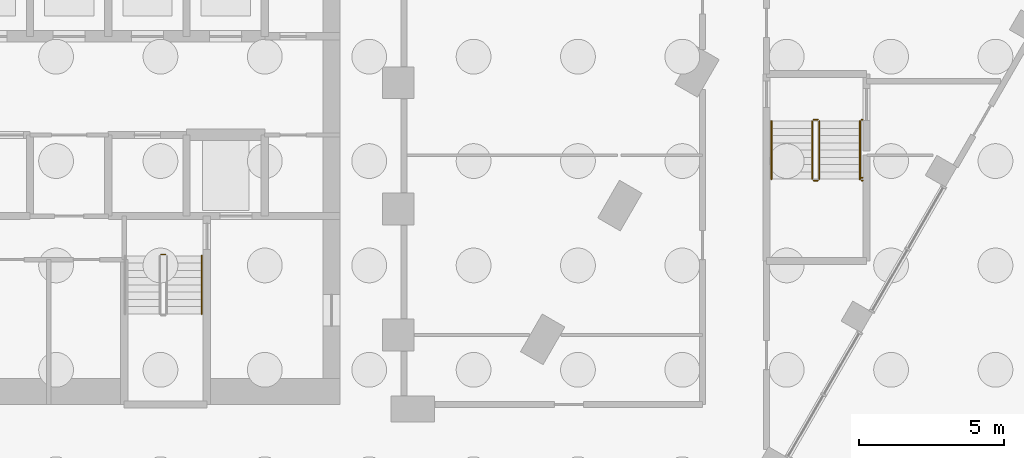
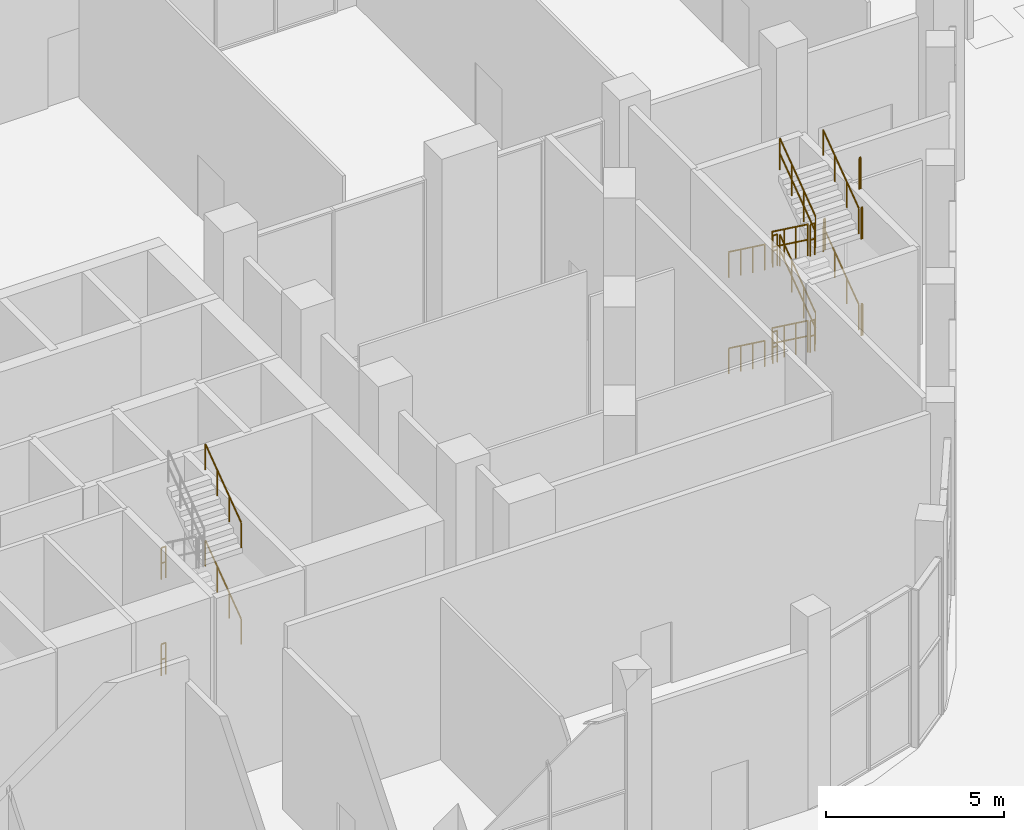
# One storey, part 39 of 44: 20 railings.
"""IFC4 building model written with IfcOpenShell, lengths in metres."""

import ifcopenshell
import ifcopenshell.guid

model = None  # the IFC model being written
_history = None  # IfcOwnerHistory: only IFC2X3 demands one
_inside = {}  # id of a spatial element -> (the spatial element, [elements in it])
_under = {}  # id of a project, library or spatial element -> (it, [spatial elements below it])
_declared = {}  # id of a project -> (the project, [libraries it declares])
_typed = {}  # id of a type object -> (the type object, [elements of that type])
_made_of = {}  # id of a material, layer set ... -> (it, [elements and type objects made of it])


def new_model(schema):
    """Start an empty IFC model of exactly this schema.

    Asked for "IFC4X3", IfcOpenShell would pick the latest addendum, in which some entities
    have other attributes; the version numbers below select the first issue.
    IFC2X3 requires an IfcOwnerHistory on every rooted entity: one is made here for all.
    """
    global model, _history
    if schema == "IFC4X3":
        model = ifcopenshell.file(schema_version=(4, 3, 0, 0))
    else:
        model = ifcopenshell.file(schema=schema)
    _inside.clear()
    _under.clear()
    _declared.clear()
    _typed.clear()
    _made_of.clear()
    _history = None
    if model.schema == "IFC2X3":
        org = make("IfcOrganization", Name="unknown")
        user = make(
            "IfcPersonAndOrganization",
            ThePerson=make("IfcPerson", FamilyName="unknown"),
            TheOrganization=org,
        )
        app = make(
            "IfcApplication",
            ApplicationDeveloper=org,
            Version="unknown",
            ApplicationFullName="unknown",
            ApplicationIdentifier="unknown",
        )
        _history = make(
            "IfcOwnerHistory",
            OwningUser=user,
            OwningApplication=app,
            ChangeAction="ADDED",
            CreationDate=0,
        )
    return model


def make(cls, **values):
    """One entity of the class cls with the attributes given. An attribute that is None is left unset."""
    return model.create_entity(
        cls, **{name: value for name, value in values.items() if value is not None}
    )


def rooted(cls, **values):
    """An entity with a GlobalId (a new one), such as an element, a storey or a relation."""
    return make(cls, GlobalId=ifcopenshell.guid.new(), OwnerHistory=_history, **values)


def si_unit(unit_type, name, prefix=None):
    """IfcSIUnit, for example si_unit("LENGTHUNIT", "METRE", prefix="MILLI")."""
    return make("IfcSIUnit", UnitType=unit_type, Prefix=prefix, Name=name)


def assignment(units):
    """IfcUnitAssignment: the units of a project."""
    return None if units is None else make("IfcUnitAssignment", Units=units)


def point(xyz):
    """IfcCartesianPoint."""
    return None if xyz is None else make("IfcCartesianPoint", Coordinates=xyz)


def direction(xyz):
    """IfcDirection."""
    return None if xyz is None else make("IfcDirection", DirectionRatios=xyz)


def frame(location, z_axis=None, x_axis=None):
    """IfcAxis2Placement3D, a coordinate frame: its origin and axes. An axis left out is left unset."""
    return make(
        "IfcAxis2Placement3D",
        Location=point(location),
        Axis=direction(z_axis),
        RefDirection=direction(x_axis),
    )


def frame_2d(location, x_axis=None):
    """IfcAxis2Placement2D, a coordinate frame in the plane: its origin and x axis."""
    return make(
        "IfcAxis2Placement2D", Location=point(location), RefDirection=direction(x_axis)
    )


def origin():
    """The frame at (0, 0, 0) with its axes left unset."""
    return frame((0.0, 0.0, 0.0))


def origin_2d():
    """The frame at (0, 0) in the plane with its x axis left unset."""
    return frame_2d((0.0, 0.0))


def place(relative_to, where):
    """IfcLocalPlacement: puts the frame where relative to a parent placement (None: the world)."""
    return make(
        "IfcLocalPlacement", PlacementRelTo=relative_to, RelativePlacement=where
    )


def context(
    kind, dimensions, precision=None, world=None, true_north=None, identifier=None
):
    """IfcGeometricRepresentationContext, for example the 3D "Model" context."""
    return make(
        "IfcGeometricRepresentationContext",
        ContextIdentifier=identifier,
        ContextType=kind,
        CoordinateSpaceDimension=dimensions,
        Precision=precision,
        WorldCoordinateSystem=world,
        TrueNorth=true_north,
    )


def subcontext(parent, identifier, kind, view, scale=None):
    """IfcGeometricRepresentationSubContext, for example "Body" below "Model"."""
    return make(
        "IfcGeometricRepresentationSubContext",
        ContextIdentifier=identifier,
        ContextType=kind,
        ParentContext=parent,
        TargetScale=scale,
        TargetView=view,
    )


def project(units=None, contexts=None):
    """IfcProject with its units and contexts."""
    return rooted(
        "IfcProject",
        Name="project",
        RepresentationContexts=contexts,
        UnitsInContext=assignment(units),
    )


def spatial(cls, under=None, at=None, **own):
    """A site, building, storey or space (cls), placed at a placement, below another one or the project."""
    s = rooted(cls, ObjectPlacement=at, **own)
    if under is not None:
        _under.setdefault(under.id(), (under, []))[1].append(s)
    return s


def profile(cls, at=None, kind="AREA", **sizes):
    """A parametric profile (cls). Its sizes go by their IFC names, for example OverallWidth=200.0."""
    return make(cls, ProfileType=kind, Position=at, **sizes)


def circle(**sizes):
    """IfcCircleProfileDef."""
    return profile("IfcCircleProfileDef", **sizes)


def extrude(swept, where, along, depth):
    """IfcExtrudedAreaSolid: the profile swept, set in the frame where, extruded along a direction by depth."""
    return make(
        "IfcExtrudedAreaSolid",
        SweptArea=swept,
        Position=where,
        ExtrudedDirection=direction(along),
        Depth=depth,
    )


def shape(context_of_items, identifier, shape_type, items):
    """IfcShapeRepresentation: the items that make up one representation, for example the "Body"."""
    return make(
        "IfcShapeRepresentation",
        ContextOfItems=context_of_items,
        RepresentationIdentifier=identifier,
        RepresentationType=shape_type,
        Items=items,
    )


def material(Name=None, Category=None):
    """IfcMaterial."""
    return make("IfcMaterial", Name=Name, Category=Category)


def made_of(thing, what):
    """Note that an element or type object is made of a material, layer set ...; save() writes the relation."""
    if what is not None:
        _made_of.setdefault(what.id(), (what, []))[1].append(thing)
    return thing


def type_object(cls, material=None, **own):
    """A type object (cls), such as IfcWallType, which elements share."""
    return made_of(rooted(cls, **own), material)


def element(
    cls,
    number,
    at=None,
    inside=None,
    cuts=None,
    type_object=None,
    material=None,
    context=None,
    identifier="Body",
    shape_type=None,
    held_by="IfcProductDefinitionShape",
    body=None,
    shapes=None,
    **own,
):
    """One element of the class cls, such as IfcWall. Its Tag is "e" and its number.

    at: its placement. inside: the storey or other place that contains it. cuts: it is an
    opening in that element (IfcRelVoidsElement). A single representation is given by context,
    identifier, shape_type and body (its items); several are given by shapes. held_by: the class
    of the entity that holds the representations. save() writes the other relations.
    """
    e = rooted(cls, Tag="e%d" % number, ObjectPlacement=at, **own)
    if body is not None:
        shapes = [shape(context, identifier, shape_type, body)]
    if shapes is not None:
        e.Representation = make(held_by, Representations=shapes)
    if inside is not None:
        _inside.setdefault(inside.id(), (inside, []))[1].append(e)
    if cuts is not None:
        rooted(
            "IfcRelVoidsElement", RelatingBuildingElement=cuts, RelatedOpeningElement=e
        )
    if type_object is not None:
        _typed.setdefault(type_object.id(), (type_object, []))[1].append(e)
    return made_of(e, material)


def aggregate(whole, parts):
    """IfcRelAggregates: a whole, such as a stair, and the parts it consists of."""
    return rooted("IfcRelAggregates", RelatingObject=whole, RelatedObjects=parts)


def save(model, path):
    """Write the relations noted so far, then the file.

    IfcRelAggregates (storeys below a building ...), IfcRelContainedInSpatialStructure (elements
    in a storey), IfcRelDefinesByType, IfcRelAssociatesMaterial and IfcRelDeclares: one each for
    every whole, place, type object, material and project.
    """
    for whole, parts in _under.values():
        aggregate(whole, parts)
    for where, things in _inside.values():
        rooted(
            "IfcRelContainedInSpatialStructure",
            RelatedElements=things,
            RelatingStructure=where,
        )
    for kind, things in _typed.values():
        rooted("IfcRelDefinesByType", RelatedObjects=things, RelatingType=kind)
    for what, things in _made_of.values():
        rooted("IfcRelAssociatesMaterial", RelatedObjects=things, RelatingMaterial=what)
    for by, libraries in _declared.values():
        rooted("IfcRelDeclares", RelatingContext=by, RelatedDefinitions=libraries)
    model.write(path)


model = new_model("IFC4")

# Units and contexts
model_context = context("Model", 3, precision=1e-05, world=origin(), true_north=direction((0.0, 1.0)))
body_context = subcontext(model_context, "Body", "Model", "MODEL_VIEW")
ifc_project = project(units=[si_unit("LENGTHUNIT", "METRE"), si_unit("AREAUNIT", "SQUARE_METRE"), si_unit("VOLUMEUNIT", "CUBIC_METRE"), si_unit("PLANEANGLEUNIT", "RADIAN"), si_unit("MASSUNIT", "GRAM", prefix="KILO")], contexts=[model_context])

# Site, building, storey
site_placement = place(None, origin())
site = spatial("IfcSite", under=ifc_project, at=site_placement, CompositionType="ELEMENT")
building_placement = place(site_placement, origin())
building = spatial("IfcBuilding", under=site, at=building_placement, Name="Nakaniwa Court", CompositionType="ELEMENT")
storey_placement = place(building_placement, origin())
storey = spatial("IfcBuildingStorey", under=building, at=storey_placement, Name="L00", CompositionType="ELEMENT", Elevation=0.0)

# Railings
ifc_material_1 = material(Name="Black powder coated steel guard", Category="steel")
railing_type_1 = type_object("IfcRailingType", Name="Stair guard 1100", PredefinedType="GUARDRAIL", material=ifc_material_1)
for number, where, name in (
    (1, (81.824951171875, 61.77490234375, 3.300048828125), "L00 ST4 stair guard 4"),
    (2, (81.824951171875, 61.77490234375, 0.0), "L00 ST4 stair guard 8"),
):
    element("IfcRailing", number, at=place(storey_placement, frame(where)), inside=storey, type_object=railing_type_1, Name=name, PredefinedType="GUARDRAIL", context=body_context, shape_type="SweptSolid", body=[
        extrude(circle(Radius=0.02392578125, at=origin_2d()), frame((0.0, 0.0, 1.076171875), z_axis=(1.0, 0.0, 0.0), x_axis=(0.0, 1.0, 0.0)), (0.0, 0.0, 1.0), 0.150146484375),
        extrude(circle(Radius=0.02392578125, at=origin_2d()), frame((0.0, 0.0, 0.550048828125), z_axis=(1.0, 0.0, 0.0), x_axis=(0.0, 1.0, 0.0)), (0.0, 0.0, 1.0), 0.150146484375),
        extrude(circle(Radius=0.02099609375, at=origin_2d()), origin(), (0.0, 0.0, 1.0), 1.052001953125),
        extrude(circle(Radius=0.02099609375, at=origin_2d()), frame((0.150146484375, 0.0, 0.0)), (0.0, 0.0, 1.0), 1.052001953125),
    ])
railing_1_placement = place(storey_placement, frame((104.27490234375, 66.375, 0.183349609375)))
element("IfcRailing", 3, at=railing_1_placement, inside=storey, type_object=railing_type_1, Name="L00 SS3 stair guard 1", PredefinedType="GUARDRAIL", context=body_context, shape_type="SweptSolid", body=[
    extrude(circle(Radius=0.02392578125, at=origin_2d()), frame((0.0, 0.0, 1.076171875), z_axis=(0.0, -0.806426902644, 0.591333789573), x_axis=(1.0, 0.0, 0.0)), (0.0, 0.0, 1.0), 2.47998046875),
    extrude(circle(Radius=0.02392578125, at=origin_2d()), frame((0.0, 0.0, 0.550048828125), z_axis=(0.0, -0.806426902644, 0.591333789573), x_axis=(1.0, 0.0, 0.0)), (0.0, 0.0, 1.0), 2.47998046875),
    extrude(circle(Radius=0.02099609375, at=origin_2d()), origin(), (0.0, 0.0, 1.0), 1.052001953125),
    extrude(circle(Radius=0.02099609375, at=origin_2d()), frame((0.0, -0.666748046875, 0.48876953125)), (0.0, 0.0, 1.0), 1.052001953125),
    extrude(circle(Radius=0.02099609375, at=origin_2d()), frame((0.0, -1.333251953125, 0.977783203125)), (0.0, 0.0, 1.0), 1.052001953125),
    extrude(circle(Radius=0.02099609375, at=origin_2d()), frame((0.0, -2.0, 1.466552734375)), (0.0, 0.0, 1.0), 1.052001953125),
])
railing_2_placement = place(storey_placement, frame((104.324951171875, 64.324951171875, 1.64990234375)))
element("IfcRailing", 4, at=railing_2_placement, inside=storey, type_object=railing_type_1, Name="L00 SS3 stair guard 2", PredefinedType="GUARDRAIL", context=body_context, shape_type="SweptSolid", body=[
    extrude(circle(Radius=0.02392578125, at=origin_2d()), frame((0.0, 0.0, 1.076171875), z_axis=(1.0, 0.0, 0.0), x_axis=(0.0, 1.0, 0.0)), (0.0, 0.0, 1.0), 0.150146484375),
    extrude(circle(Radius=0.02392578125, at=origin_2d()), frame((0.0, 0.0, 0.550048828125), z_axis=(1.0, 0.0, 0.0), x_axis=(0.0, 1.0, 0.0)), (0.0, 0.0, 1.0), 0.150146484375),
    extrude(circle(Radius=0.02099609375, at=origin_2d()), origin(), (0.0, 0.0, 1.0), 1.052001953125),
    extrude(circle(Radius=0.02099609375, at=origin_2d()), frame((0.150146484375, 0.0, 0.0)), (0.0, 0.0, 1.0), 1.052001953125),
])
railing_3_placement = place(storey_placement, frame((104.52490234375, 64.375, 1.833251953125)))
element("IfcRailing", 5, at=railing_3_placement, inside=storey, type_object=railing_type_1, Name="L00 SS3 stair guard 3", PredefinedType="GUARDRAIL", context=body_context, shape_type="SweptSolid", body=[
    extrude(circle(Radius=0.02392578125, at=origin_2d()), frame((0.0, 0.0, 1.076171875), z_axis=(0.0, 0.806379959628, 0.591397802423), x_axis=(-1.0, 0.0, 0.0)), (0.0, 0.0, 1.0), 2.480224609375),
    extrude(circle(Radius=0.02392578125, at=origin_2d()), frame((0.0, 0.0, 0.550048828125), z_axis=(0.0, 0.806379959628, 0.591397802423), x_axis=(-1.0, 0.0, 0.0)), (0.0, 0.0, 1.0), 2.480224609375),
    extrude(circle(Radius=0.02099609375, at=origin_2d()), origin(), (0.0, 0.0, 1.0), 1.052001953125),
    extrude(circle(Radius=0.02099609375, at=origin_2d()), frame((0.0, 0.666748046875, 0.489013671875)), (0.0, 0.0, 1.0), 1.052001953125),
    extrude(circle(Radius=0.02099609375, at=origin_2d()), frame((0.0, 1.333251953125, 0.977783203125)), (0.0, 0.0, 1.0), 1.052001953125),
    extrude(circle(Radius=0.02099609375, at=origin_2d()), frame((0.0, 2.0, 1.466796875)), (0.0, 0.0, 1.0), 1.052001953125),
])
railing_4_placement = place(storey_placement, frame((104.324951171875, 66.425048828125, 3.300048828125)))
element("IfcRailing", 6, at=railing_4_placement, inside=storey, type_object=railing_type_1, Name="L00 SS3 stair guard 4", PredefinedType="GUARDRAIL", context=body_context, shape_type="SweptSolid", body=[
    extrude(circle(Radius=0.02392578125, at=origin_2d()), frame((0.0, 0.0, 1.076171875), z_axis=(1.0, 0.0, 0.0), x_axis=(0.0, 1.0, 0.0)), (0.0, 0.0, 1.0), 0.150146484375),
    extrude(circle(Radius=0.02392578125, at=origin_2d()), frame((0.0, 0.0, 0.550048828125), z_axis=(1.0, 0.0, 0.0), x_axis=(0.0, 1.0, 0.0)), (0.0, 0.0, 1.0), 0.150146484375),
    extrude(circle(Radius=0.02099609375, at=origin_2d()), origin(), (0.0, 0.0, 1.0), 1.052001953125),
    extrude(circle(Radius=0.02099609375, at=origin_2d()), frame((0.150146484375, 0.0, 0.0)), (0.0, 0.0, 1.0), 1.052001953125),
])
railing_5_placement = place(storey_placement, frame((104.27490234375, 66.375, 3.4833984375)))
element("IfcRailing", 7, at=railing_5_placement, inside=storey, type_object=railing_type_1, Name="L00 SS3 stair guard 5", PredefinedType="GUARDRAIL", context=body_context, shape_type="SweptSolid", body=[
    extrude(circle(Radius=0.02392578125, at=origin_2d()), frame((0.0, 0.0, 1.076171875), z_axis=(0.0, -0.806426902644, 0.591333789573), x_axis=(1.0, 0.0, 0.0)), (0.0, 0.0, 1.0), 2.47998046875),
    extrude(circle(Radius=0.02392578125, at=origin_2d()), frame((0.0, 0.0, 0.550048828125), z_axis=(0.0, -0.806426902644, 0.591333789573), x_axis=(1.0, 0.0, 0.0)), (0.0, 0.0, 1.0), 2.47998046875),
    extrude(circle(Radius=0.02099609375, at=origin_2d()), origin(), (0.0, 0.0, 1.0), 1.052001953125),
    extrude(circle(Radius=0.02099609375, at=origin_2d()), frame((0.0, -0.666748046875, 0.48876953125)), (0.0, 0.0, 1.0), 1.052001953125),
    extrude(circle(Radius=0.02099609375, at=origin_2d()), frame((0.0, -1.333251953125, 0.977783203125)), (0.0, 0.0, 1.0), 1.052001953125),
    extrude(circle(Radius=0.02099609375, at=origin_2d()), frame((0.0, -2.0, 1.466552734375)), (0.0, 0.0, 1.0), 1.052001953125),
])
railing_6_placement = place(storey_placement, frame((104.324951171875, 64.324951171875, 4.949951171875)))
element("IfcRailing", 8, at=railing_6_placement, inside=storey, type_object=railing_type_1, Name="L00 SS3 stair guard 6", PredefinedType="GUARDRAIL", context=body_context, shape_type="SweptSolid", body=[
    extrude(circle(Radius=0.02392578125, at=origin_2d()), frame((0.0, 0.0, 1.076171875), z_axis=(1.0, 0.0, 0.0), x_axis=(0.0, 1.0, 0.0)), (0.0, 0.0, 1.0), 0.150146484375),
    extrude(circle(Radius=0.02392578125, at=origin_2d()), frame((0.0, 0.0, 0.550048828125), z_axis=(1.0, 0.0, 0.0), x_axis=(0.0, 1.0, 0.0)), (0.0, 0.0, 1.0), 0.150146484375),
    extrude(circle(Radius=0.02099609375, at=origin_2d()), origin(), (0.0, 0.0, 1.0), 1.052001953125),
    extrude(circle(Radius=0.02099609375, at=origin_2d()), frame((0.150146484375, 0.0, 0.0)), (0.0, 0.0, 1.0), 1.052001953125),
])
railing_7_placement = place(storey_placement, frame((104.52490234375, 64.375, 5.13330078125)))
element("IfcRailing", 9, at=railing_7_placement, inside=storey, type_object=railing_type_1, Name="L00 SS3 stair guard 7", PredefinedType="GUARDRAIL", context=body_context, shape_type="SweptSolid", body=[
    extrude(circle(Radius=0.02392578125, at=origin_2d()), frame((0.0, 0.0, 1.076171875), z_axis=(0.0, 0.806379959628, 0.591397802423), x_axis=(-1.0, 0.0, 0.0)), (0.0, 0.0, 1.0), 2.480224609375),
    extrude(circle(Radius=0.02392578125, at=origin_2d()), frame((0.0, 0.0, 0.550048828125), z_axis=(0.0, 0.806379959628, 0.591397802423), x_axis=(-1.0, 0.0, 0.0)), (0.0, 0.0, 1.0), 2.480224609375),
    extrude(circle(Radius=0.02099609375, at=origin_2d()), origin(), (0.0, 0.0, 1.0), 1.052001953125),
    extrude(circle(Radius=0.02099609375, at=origin_2d()), frame((0.0, 0.666748046875, 0.489013671875)), (0.0, 0.0, 1.0), 1.052001953125),
    extrude(circle(Radius=0.02099609375, at=origin_2d()), frame((0.0, 1.333251953125, 0.977783203125)), (0.0, 0.0, 1.0), 1.052001953125),
    extrude(circle(Radius=0.02099609375, at=origin_2d()), frame((0.0, 2.0, 1.466796875)), (0.0, 0.0, 1.0), 1.052001953125),
])
railing_8_placement = place(storey_placement, frame((104.324951171875, 66.425048828125, 0.0)))
element("IfcRailing", 10, at=railing_8_placement, inside=storey, type_object=railing_type_1, Name="L00 SS3 stair guard 8", PredefinedType="GUARDRAIL", context=body_context, shape_type="SweptSolid", body=[
    extrude(circle(Radius=0.02392578125, at=origin_2d()), frame((0.0, 0.0, 1.076171875), z_axis=(1.0, 0.0, 0.0), x_axis=(0.0, 1.0, 0.0)), (0.0, 0.0, 1.0), 0.150146484375),
    extrude(circle(Radius=0.02392578125, at=origin_2d()), frame((0.0, 0.0, 0.550048828125), z_axis=(1.0, 0.0, 0.0), x_axis=(0.0, 1.0, 0.0)), (0.0, 0.0, 1.0), 0.150146484375),
    extrude(circle(Radius=0.02099609375, at=origin_2d()), origin(), (0.0, 0.0, 1.0), 1.052001953125),
    extrude(circle(Radius=0.02099609375, at=origin_2d()), frame((0.150146484375, 0.0, 0.0)), (0.0, 0.0, 1.0), 1.052001953125),
])
for number, where, name in (
    (11, (105.97509765625, 64.324951171875, 1.64990234375), "L00 SS3 landing side guard 1E"),
    (12, (105.97509765625, 66.425048828125, 3.300048828125), "L00 SS3 landing side guard 2E"),
    (13, (105.97509765625, 64.324951171875, 4.949951171875), "L00 SS3 landing side guard 3E"),
    (14, (105.97509765625, 64.425048828125, 6.60009765625), "L00 SS3 floor edge guard 3E"),
):
    element("IfcRailing", number, at=place(storey_placement, frame(where)), inside=storey, type_object=railing_type_1, Name=name, PredefinedType="GUARDRAIL", context=body_context, shape_type="SweptSolid", body=[
        extrude(circle(Radius=0.02392578125, at=origin_2d()), frame((0.0, 0.0, 1.076171875), z_axis=(1.0, 0.0, 0.0), x_axis=(0.0, 1.0, 0.0)), (0.0, 0.0, 1.0), 0.0498046875),
        extrude(circle(Radius=0.02392578125, at=origin_2d()), frame((0.0, 0.0, 0.550048828125), z_axis=(1.0, 0.0, 0.0), x_axis=(0.0, 1.0, 0.0)), (0.0, 0.0, 1.0), 0.0498046875),
        extrude(circle(Radius=0.02099609375, at=origin_2d()), origin(), (0.0, 0.0, 1.0), 1.052001953125),
        extrude(circle(Radius=0.02099609375, at=origin_2d()), frame((0.0498046875, 0.0, 0.0)), (0.0, 0.0, 1.0), 1.052001953125),
    ])
ifc_material_2 = material(Name="Black powder coated steel handrail", Category="steel")
railing_type_2 = type_object("IfcRailingType", Name="Stair handrail 900", PredefinedType="HANDRAIL", material=ifc_material_2)
for number, where, name in (
    (15, (83.22509765625, 59.72509765625, 1.833251953125), "L00 ST4 stair handrail 2"),
    (16, (83.22509765625, 59.72509765625, 5.13330078125), "L00 ST4 stair handrail 4"),
):
    element("IfcRailing", number, at=place(storey_placement, frame(where)), inside=storey, type_object=railing_type_2, Name=name, PredefinedType="HANDRAIL", context=body_context, shape_type="SweptSolid", body=[
        extrude(circle(Radius=0.02392578125, at=origin_2d()), frame((0.0, 0.0, 0.8759765625), z_axis=(0.0, 0.806379959628, 0.591397802423), x_axis=(-1.0, 0.0, 0.0)), (0.0, 0.0, 1.0), 2.480224609375),
        extrude(circle(Radius=0.02099609375, at=origin_2d()), origin(), (0.0, 0.0, 1.0), 0.851806640625),
        extrude(circle(Radius=0.02099609375, at=origin_2d()), frame((0.0, 0.666748046875, 0.489013671875)), (0.0, 0.0, 1.0), 0.851806640625),
        extrude(circle(Radius=0.02099609375, at=origin_2d()), frame((0.0, 1.333251953125, 0.977783203125)), (0.0, 0.0, 1.0), 0.851806640625),
        extrude(circle(Radius=0.02099609375, at=origin_2d()), frame((0.0, 2.0, 1.466796875)), (0.0, 0.0, 1.0), 0.851806640625),
    ])
railing_9_placement = place(storey_placement, frame((102.875, 66.375, 0.183349609375)))
element("IfcRailing", 17, at=railing_9_placement, inside=storey, type_object=railing_type_2, Name="L00 SS3 stair handrail 1", PredefinedType="HANDRAIL", context=body_context, shape_type="SweptSolid", body=[
    extrude(circle(Radius=0.02392578125, at=origin_2d()), frame((0.0, 0.0, 0.8759765625), z_axis=(0.0, -0.806426902644, 0.591333789573), x_axis=(1.0, 0.0, 0.0)), (0.0, 0.0, 1.0), 2.47998046875),
    extrude(circle(Radius=0.02099609375, at=origin_2d()), origin(), (0.0, 0.0, 1.0), 0.851806640625),
    extrude(circle(Radius=0.02099609375, at=origin_2d()), frame((0.0, -0.666748046875, 0.48876953125)), (0.0, 0.0, 1.0), 0.851806640625),
    extrude(circle(Radius=0.02099609375, at=origin_2d()), frame((0.0, -1.333251953125, 0.977783203125)), (0.0, 0.0, 1.0), 0.851806640625),
    extrude(circle(Radius=0.02099609375, at=origin_2d()), frame((0.0, -2.0, 1.466552734375)), (0.0, 0.0, 1.0), 0.851806640625),
])
railing_10_placement = place(storey_placement, frame((105.925048828125, 64.375, 1.833251953125)))
element("IfcRailing", 18, at=railing_10_placement, inside=storey, type_object=railing_type_2, Name="L00 SS3 stair handrail 2", PredefinedType="HANDRAIL", context=body_context, shape_type="SweptSolid", body=[
    extrude(circle(Radius=0.02392578125, at=origin_2d()), frame((0.0, 0.0, 0.8759765625), z_axis=(0.0, 0.806379959628, 0.591397802423), x_axis=(-1.0, 0.0, 0.0)), (0.0, 0.0, 1.0), 2.480224609375),
    extrude(circle(Radius=0.02099609375, at=origin_2d()), origin(), (0.0, 0.0, 1.0), 0.851806640625),
    extrude(circle(Radius=0.02099609375, at=origin_2d()), frame((0.0, 0.666748046875, 0.489013671875)), (0.0, 0.0, 1.0), 0.851806640625),
    extrude(circle(Radius=0.02099609375, at=origin_2d()), frame((0.0, 1.333251953125, 0.977783203125)), (0.0, 0.0, 1.0), 0.851806640625),
    extrude(circle(Radius=0.02099609375, at=origin_2d()), frame((0.0, 2.0, 1.466796875)), (0.0, 0.0, 1.0), 0.851806640625),
])
railing_11_placement = place(storey_placement, frame((102.875, 66.375, 3.4833984375)))
element("IfcRailing", 19, at=railing_11_placement, inside=storey, type_object=railing_type_2, Name="L00 SS3 stair handrail 3", PredefinedType="HANDRAIL", context=body_context, shape_type="SweptSolid", body=[
    extrude(circle(Radius=0.02392578125, at=origin_2d()), frame((0.0, 0.0, 0.8759765625), z_axis=(0.0, -0.806426902644, 0.591333789573), x_axis=(1.0, 0.0, 0.0)), (0.0, 0.0, 1.0), 2.47998046875),
    extrude(circle(Radius=0.02099609375, at=origin_2d()), origin(), (0.0, 0.0, 1.0), 0.851806640625),
    extrude(circle(Radius=0.02099609375, at=origin_2d()), frame((0.0, -0.666748046875, 0.48876953125)), (0.0, 0.0, 1.0), 0.851806640625),
    extrude(circle(Radius=0.02099609375, at=origin_2d()), frame((0.0, -1.333251953125, 0.977783203125)), (0.0, 0.0, 1.0), 0.851806640625),
    extrude(circle(Radius=0.02099609375, at=origin_2d()), frame((0.0, -2.0, 1.466552734375)), (0.0, 0.0, 1.0), 0.851806640625),
])
railing_12_placement = place(storey_placement, frame((105.925048828125, 64.375, 5.13330078125)))
element("IfcRailing", 20, at=railing_12_placement, inside=storey, type_object=railing_type_2, Name="L00 SS3 stair handrail 4", PredefinedType="HANDRAIL", context=body_context, shape_type="SweptSolid", body=[
    extrude(circle(Radius=0.02392578125, at=origin_2d()), frame((0.0, 0.0, 0.8759765625), z_axis=(0.0, 0.806379959628, 0.591397802423), x_axis=(-1.0, 0.0, 0.0)), (0.0, 0.0, 1.0), 2.480224609375),
    extrude(circle(Radius=0.02099609375, at=origin_2d()), origin(), (0.0, 0.0, 1.0), 0.851806640625),
    extrude(circle(Radius=0.02099609375, at=origin_2d()), frame((0.0, 0.666748046875, 0.489013671875)), (0.0, 0.0, 1.0), 0.851806640625),
    extrude(circle(Radius=0.02099609375, at=origin_2d()), frame((0.0, 1.333251953125, 0.977783203125)), (0.0, 0.0, 1.0), 0.851806640625),
    extrude(circle(Radius=0.02099609375, at=origin_2d()), frame((0.0, 2.0, 1.466796875)), (0.0, 0.0, 1.0), 0.851806640625),
])

save(model, "model.ifc")
